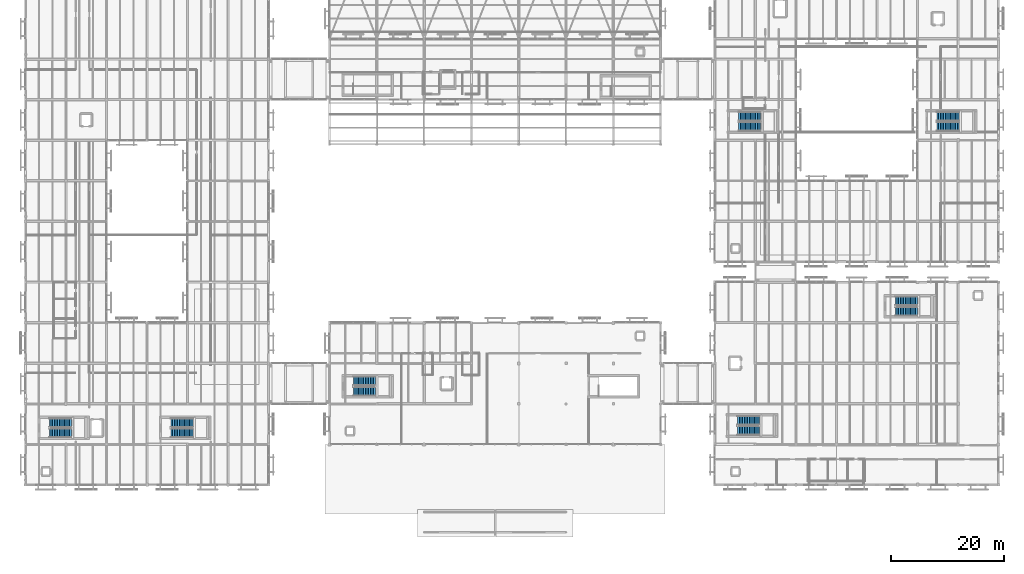
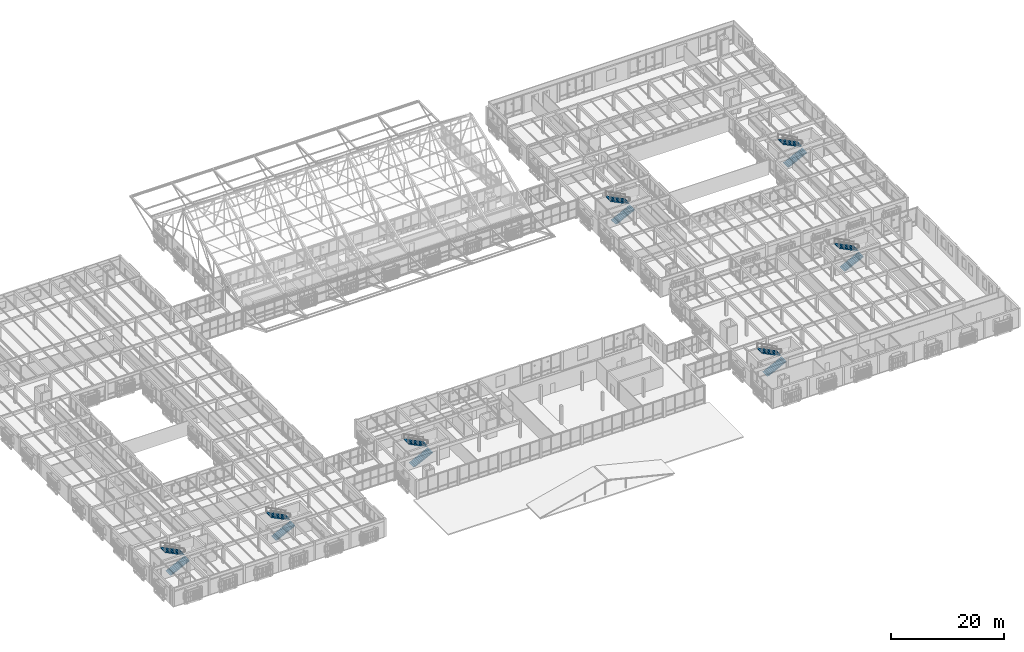
# One storey, part 189 of 217: 14 stair flights, 7 elements without a shape of their own.
"""IFC4 building model written with IfcOpenShell, lengths in metres."""

from ifc_helpers import new_model, si_unit, direction, frame, origin, place, context, subcontext, project, spatial, polyline, outline, extrude, material, type_object, element, aggregate, save


model = new_model("IFC4")

# Units and contexts
model_context = context("Model", 3, precision=1e-05, world=origin(), true_north=direction((0.0, 1.0)))
body_context = subcontext(model_context, "Body", "Model", "MODEL_VIEW")
ifc_project = project(units=[si_unit("LENGTHUNIT", "METRE"), si_unit("AREAUNIT", "SQUARE_METRE"), si_unit("VOLUMEUNIT", "CUBIC_METRE"), si_unit("PLANEANGLEUNIT", "RADIAN"), si_unit("MASSUNIT", "GRAM", prefix="KILO")], contexts=[model_context])

# Site, building, storey
site_placement = place(None, origin())
site = spatial("IfcSite", under=ifc_project, at=site_placement, CompositionType="ELEMENT")
building_placement = place(site_placement, origin())
building = spatial("IfcBuilding", under=site, at=building_placement, Name="Mazaris Harbour Polytechnic", CompositionType="ELEMENT")
storey_placement = place(building_placement, frame((0.0, 0.0, 9.60009765625)))
storey = spatial("IfcBuildingStorey", under=building, at=storey_placement, Name="L02", CompositionType="ELEMENT", Elevation=9.60009765625)

# Stair, stair flights
ifc_material_1 = material(Name="Concrete C40/50", Category="concrete")
stair_type = type_object("IfcStairType", Name="Core Exit Stair H4200", PredefinedType="HALF_TURN_STAIR", material=ifc_material_1)
stair_1_placement = place(storey_placement, origin())
stair_1 = element("IfcStair", 1, at=stair_1_placement, inside=storey, type_object=stair_type, Name="L02 ST03", PredefinedType="HALF_TURN_STAIR")
ifc_material_2 = material(Name="Concrete C40/50", Category="concrete")
stair_flight_type = type_object("IfcStairFlightType", Name="RC Stair Flight W1650", PredefinedType="STRAIGHT", material=ifc_material_2)
stair_flight_1_placement = place(storey_placement, frame((126.449951171875, 16.824951171875, 0.0), z_axis=(0.0, 0.0, 1.0), x_axis=(1.0, 0.0, 0.0)))
stair_flight_1 = element("IfcStairFlight", 2, at=stair_flight_1_placement, type_object=stair_flight_type, Name="ST03 flight 1", NumberOfRisers=14, NumberOfTreads=13, PredefinedType="STRAIGHT", RiserHeight=0.15, TreadLength=0.3, context=body_context, shape_type="SweptSolid", body=[
    extrude(outline(polyline([(0.0, 0.0), (0.0, 0.14990234375), (0.300048828125, 0.14990234375), (0.300048828125, 0.300048828125), (0.60009765625, 0.300048828125), (0.60009765625, 0.449951171875), (0.89990234375, 0.449951171875), (0.89990234375, 0.60009765625), (1.199951171875, 0.60009765625), (1.199951171875, 0.75), (1.5, 0.75), (1.5, 0.89990234375), (1.800048828125, 0.89990234375), (1.800048828125, 1.050048828125), (2.10009765625, 1.050048828125), (2.10009765625, 1.199951171875), (2.39990234375, 1.199951171875), (2.39990234375, 1.35009765625), (2.699951171875, 1.35009765625), (2.699951171875, 1.5), (3.0, 1.5), (3.0, 1.64990234375), (3.300048828125, 1.64990234375), (3.300048828125, 1.800048828125), (3.60009765625, 1.800048828125), (3.60009765625, 1.949951171875), (3.89990234375, 1.949951171875), (3.89990234375, 2.10009765625), (3.89990234375, 1.748779296875), (0.40234375, 0.0), (0.0, 0.0)])), frame((0.0, 0.824951171875, 0.0), z_axis=(0.0, -1.0, 0.0), x_axis=(1.0, 0.0, 0.0)), (0.0, 0.0, 1.0), 1.64990234375),
])
stair_flight_2_placement = place(storey_placement, frame((130.35009765625, 18.625, 2.099853515625), z_axis=(0.0, 0.0, 1.0), x_axis=(-1.0, 0.0, 0.0)))
stair_flight_2 = element("IfcStairFlight", 3, at=stair_flight_2_placement, type_object=stair_flight_type, Name="ST03 flight 2", NumberOfRisers=14, NumberOfTreads=13, PredefinedType="STRAIGHT", RiserHeight=0.15, TreadLength=0.3, context=body_context, shape_type="SweptSolid", body=[
    extrude(outline(polyline([(0.0, 0.0), (0.0, 0.14990234375), (0.300048828125, 0.14990234375), (0.300048828125, 0.300048828125), (0.60009765625, 0.300048828125), (0.60009765625, 0.449951171875), (0.89990234375, 0.449951171875), (0.89990234375, 0.60009765625), (1.199951171875, 0.60009765625), (1.199951171875, 0.75), (1.5, 0.75), (1.5, 0.89990234375), (1.800048828125, 0.89990234375), (1.800048828125, 1.050048828125), (2.10009765625, 1.050048828125), (2.10009765625, 1.199951171875), (2.39990234375, 1.199951171875), (2.39990234375, 1.35009765625), (2.699951171875, 1.35009765625), (2.699951171875, 1.5), (3.0, 1.5), (3.0, 1.64990234375), (3.300048828125, 1.64990234375), (3.300048828125, 1.800048828125), (3.60009765625, 1.800048828125), (3.60009765625, 1.949951171875), (3.89990234375, 1.949951171875), (3.89990234375, 2.10009765625), (3.89990234375, 1.748779296875), (0.40234375, 0.0), (0.0, 0.0)])), frame((0.0, 0.824951171875, 0.0), z_axis=(0.0, -1.0, 0.0), x_axis=(1.0, 0.0, 0.0)), (0.0, 0.0, 1.0), 1.64990234375),
])
aggregate(stair_1, [stair_flight_1, stair_flight_2])

stair_2_placement = place(storey_placement, origin())
stair_2 = element("IfcStair", 4, at=stair_2_placement, inside=storey, type_object=stair_type, Name="L02 ST04", PredefinedType="HALF_TURN_STAIR")
stair_flight_3_placement = place(storey_placement, frame((154.449951171875, 38.02490234375, 0.0), z_axis=(0.0, 0.0, 1.0), x_axis=(1.0, 0.0, 0.0)))
stair_flight_3 = element("IfcStairFlight", 5, at=stair_flight_3_placement, type_object=stair_flight_type, Name="ST04 flight 1", NumberOfRisers=14, NumberOfTreads=13, PredefinedType="STRAIGHT", RiserHeight=0.15, TreadLength=0.3, context=body_context, shape_type="SweptSolid", body=[
    extrude(outline(polyline([(0.0, 0.0), (0.0, 0.14990234375), (0.300048828125, 0.14990234375), (0.300048828125, 0.300048828125), (0.60009765625, 0.300048828125), (0.60009765625, 0.449951171875), (0.89990234375, 0.449951171875), (0.89990234375, 0.60009765625), (1.199951171875, 0.60009765625), (1.199951171875, 0.75), (1.5, 0.75), (1.5, 0.89990234375), (1.800048828125, 0.89990234375), (1.800048828125, 1.050048828125), (2.10009765625, 1.050048828125), (2.10009765625, 1.199951171875), (2.39990234375, 1.199951171875), (2.39990234375, 1.35009765625), (2.699951171875, 1.35009765625), (2.699951171875, 1.5), (3.0, 1.5), (3.0, 1.64990234375), (3.300048828125, 1.64990234375), (3.300048828125, 1.800048828125), (3.60009765625, 1.800048828125), (3.60009765625, 1.949951171875), (3.89990234375, 1.949951171875), (3.89990234375, 2.10009765625), (3.89990234375, 1.748779296875), (0.40234375, 0.0), (0.0, 0.0)])), frame((0.0, 0.824951171875, 0.0), z_axis=(0.0, -1.0, 0.0), x_axis=(1.0, 0.0, 0.0)), (0.0, 0.0, 1.0), 1.64990234375),
])
stair_flight_4_placement = place(storey_placement, frame((158.35009765625, 39.824951171875, 2.099853515625), z_axis=(0.0, 0.0, 1.0), x_axis=(-1.0, 0.0, 0.0)))
stair_flight_4 = element("IfcStairFlight", 6, at=stair_flight_4_placement, type_object=stair_flight_type, Name="ST04 flight 2", NumberOfRisers=14, NumberOfTreads=13, PredefinedType="STRAIGHT", RiserHeight=0.15, TreadLength=0.3, context=body_context, shape_type="SweptSolid", body=[
    extrude(outline(polyline([(0.0, 0.0), (0.0, 0.14990234375), (0.300048828125, 0.14990234375), (0.300048828125, 0.300048828125), (0.60009765625, 0.300048828125), (0.60009765625, 0.449951171875), (0.89990234375, 0.449951171875), (0.89990234375, 0.60009765625), (1.199951171875, 0.60009765625), (1.199951171875, 0.75), (1.5, 0.75), (1.5, 0.89990234375), (1.800048828125, 0.89990234375), (1.800048828125, 1.050048828125), (2.10009765625, 1.050048828125), (2.10009765625, 1.199951171875), (2.39990234375, 1.199951171875), (2.39990234375, 1.35009765625), (2.699951171875, 1.35009765625), (2.699951171875, 1.5), (3.0, 1.5), (3.0, 1.64990234375), (3.300048828125, 1.64990234375), (3.300048828125, 1.800048828125), (3.60009765625, 1.800048828125), (3.60009765625, 1.949951171875), (3.89990234375, 1.949951171875), (3.89990234375, 2.10009765625), (3.89990234375, 1.748779296875), (0.40234375, 0.0), (0.0, 0.0)])), frame((0.0, 0.824951171875, 0.0), z_axis=(0.0, -1.0, 0.0), x_axis=(1.0, 0.0, 0.0)), (0.0, 0.0, 1.0), 1.64990234375),
])
aggregate(stair_2, [stair_flight_3, stair_flight_4])

stair_3_placement = place(storey_placement, origin())
stair_3 = element("IfcStair", 7, at=stair_3_placement, inside=storey, type_object=stair_type, Name="L02 ST05", PredefinedType="HALF_TURN_STAIR")
stair_flight_5_placement = place(storey_placement, frame((58.25, 23.824951171875, 0.0), z_axis=(0.0, 0.0, 1.0), x_axis=(1.0, 0.0, 0.0)))
stair_flight_5 = element("IfcStairFlight", 8, at=stair_flight_5_placement, type_object=stair_flight_type, Name="ST05 flight 1", NumberOfRisers=14, NumberOfTreads=13, PredefinedType="STRAIGHT", RiserHeight=0.15, TreadLength=0.3, context=body_context, shape_type="SweptSolid", body=[
    extrude(outline(polyline([(0.0, 0.0), (0.0, 0.14990234375), (0.300048828125, 0.14990234375), (0.300048828125, 0.300048828125), (0.60009765625, 0.300048828125), (0.60009765625, 0.449951171875), (0.89990234375, 0.449951171875), (0.89990234375, 0.60009765625), (1.199951171875, 0.60009765625), (1.199951171875, 0.75), (1.5, 0.75), (1.5, 0.89990234375), (1.800048828125, 0.89990234375), (1.800048828125, 1.050048828125), (2.10009765625, 1.050048828125), (2.10009765625, 1.199951171875), (2.39990234375, 1.199951171875), (2.39990234375, 1.35009765625), (2.699951171875, 1.35009765625), (2.699951171875, 1.5), (3.0, 1.5), (3.0, 1.64990234375), (3.300048828125, 1.64990234375), (3.300048828125, 1.800048828125), (3.60009765625, 1.800048828125), (3.60009765625, 1.949951171875), (3.89990234375, 1.949951171875), (3.89990234375, 2.10009765625), (3.89990234375, 1.748779296875), (0.40234375, 0.0), (0.0, 0.0)])), frame((0.0, 0.824951171875, 0.0), z_axis=(0.0, -1.0, 0.0), x_axis=(1.0, 0.0, 0.0)), (0.0, 0.0, 1.0), 1.64990234375),
])
stair_flight_6_placement = place(storey_placement, frame((62.14990234375, 25.625, 2.099853515625), z_axis=(0.0, 0.0, 1.0), x_axis=(-1.0, 0.0, 0.0)))
stair_flight_6 = element("IfcStairFlight", 9, at=stair_flight_6_placement, type_object=stair_flight_type, Name="ST05 flight 2", NumberOfRisers=14, NumberOfTreads=13, PredefinedType="STRAIGHT", RiserHeight=0.15, TreadLength=0.3, context=body_context, shape_type="SweptSolid", body=[
    extrude(outline(polyline([(0.0, 0.0), (0.0, 0.14990234375), (0.300048828125, 0.14990234375), (0.300048828125, 0.300048828125), (0.60009765625, 0.300048828125), (0.60009765625, 0.449951171875), (0.89990234375, 0.449951171875), (0.89990234375, 0.60009765625), (1.199951171875, 0.60009765625), (1.199951171875, 0.75), (1.5, 0.75), (1.5, 0.89990234375), (1.800048828125, 0.89990234375), (1.800048828125, 1.050048828125), (2.10009765625, 1.050048828125), (2.10009765625, 1.199951171875), (2.39990234375, 1.199951171875), (2.39990234375, 1.35009765625), (2.699951171875, 1.35009765625), (2.699951171875, 1.5), (3.0, 1.5), (3.0, 1.64990234375), (3.300048828125, 1.64990234375), (3.300048828125, 1.800048828125), (3.60009765625, 1.800048828125), (3.60009765625, 1.949951171875), (3.89990234375, 1.949951171875), (3.89990234375, 2.10009765625), (3.89990234375, 1.748779296875), (0.40234375, 0.0), (0.0, 0.0)])), frame((0.0, 0.824951171875, 0.0), z_axis=(0.0, -1.0, 0.0), x_axis=(1.0, 0.0, 0.0)), (0.0, 0.0, 1.0), 1.64990234375),
])
aggregate(stair_3, [stair_flight_5, stair_flight_6])

stair_4_placement = place(storey_placement, origin())
stair_4 = element("IfcStair", 10, at=stair_4_placement, inside=storey, type_object=stair_type, Name="L02 ST07", PredefinedType="HALF_TURN_STAIR")
stair_flight_7_placement = place(storey_placement, frame((4.25, 16.425048828125, 0.0), z_axis=(0.0, 0.0, 1.0), x_axis=(1.0, 0.0, 0.0)))
stair_flight_7 = element("IfcStairFlight", 11, at=stair_flight_7_placement, type_object=stair_flight_type, Name="ST07 flight 1", NumberOfRisers=14, NumberOfTreads=13, PredefinedType="STRAIGHT", RiserHeight=0.15, TreadLength=0.3, context=body_context, shape_type="SweptSolid", body=[
    extrude(outline(polyline([(0.0, 0.0), (0.0, 0.14990234375), (0.300048828125, 0.14990234375), (0.300048828125, 0.300048828125), (0.60009765625, 0.300048828125), (0.60009765625, 0.449951171875), (0.89990234375, 0.449951171875), (0.89990234375, 0.60009765625), (1.199951171875, 0.60009765625), (1.199951171875, 0.75), (1.5, 0.75), (1.5, 0.89990234375), (1.800048828125, 0.89990234375), (1.800048828125, 1.050048828125), (2.10009765625, 1.050048828125), (2.10009765625, 1.199951171875), (2.39990234375, 1.199951171875), (2.39990234375, 1.35009765625), (2.699951171875, 1.35009765625), (2.699951171875, 1.5), (3.0, 1.5), (3.0, 1.64990234375), (3.300048828125, 1.64990234375), (3.300048828125, 1.800048828125), (3.60009765625, 1.800048828125), (3.60009765625, 1.949951171875), (3.89990234375, 1.949951171875), (3.89990234375, 2.10009765625), (3.89990234375, 1.748779296875), (0.40234375, 0.0), (0.0, 0.0)])), frame((0.0, 0.824951171875, 0.0), z_axis=(0.0, -1.0, 0.0), x_axis=(1.0, 0.0, 0.0)), (0.0, 0.0, 1.0), 1.64990234375),
])
stair_flight_8_placement = place(storey_placement, frame((8.14990234375, 18.22509765625, 2.099853515625), z_axis=(0.0, 0.0, 1.0), x_axis=(-1.0, 0.0, 0.0)))
stair_flight_8 = element("IfcStairFlight", 12, at=stair_flight_8_placement, type_object=stair_flight_type, Name="ST07 flight 2", NumberOfRisers=14, NumberOfTreads=13, PredefinedType="STRAIGHT", RiserHeight=0.15, TreadLength=0.3, context=body_context, shape_type="SweptSolid", body=[
    extrude(outline(polyline([(0.0, 0.0), (0.0, 0.14990234375), (0.300048828125, 0.14990234375), (0.300048828125, 0.300048828125), (0.60009765625, 0.300048828125), (0.60009765625, 0.449951171875), (0.89990234375, 0.449951171875), (0.89990234375, 0.60009765625), (1.199951171875, 0.60009765625), (1.199951171875, 0.75), (1.5, 0.75), (1.5, 0.89990234375), (1.800048828125, 0.89990234375), (1.800048828125, 1.050048828125), (2.10009765625, 1.050048828125), (2.10009765625, 1.199951171875), (2.39990234375, 1.199951171875), (2.39990234375, 1.35009765625), (2.699951171875, 1.35009765625), (2.699951171875, 1.5), (3.0, 1.5), (3.0, 1.64990234375), (3.300048828125, 1.64990234375), (3.300048828125, 1.800048828125), (3.60009765625, 1.800048828125), (3.60009765625, 1.949951171875), (3.89990234375, 1.949951171875), (3.89990234375, 2.10009765625), (3.89990234375, 1.748779296875), (0.40234375, 0.0), (0.0, 0.0)])), frame((0.0, 0.824951171875, 0.0), z_axis=(0.0, -1.0, 0.0), x_axis=(1.0, 0.0, 0.0)), (0.0, 0.0, 1.0), 1.64990234375),
])
aggregate(stair_4, [stair_flight_7, stair_flight_8])

stair_5_placement = place(storey_placement, origin())
stair_5 = element("IfcStair", 13, at=stair_5_placement, inside=storey, type_object=stair_type, Name="L02 ST08", PredefinedType="HALF_TURN_STAIR")
stair_flight_9_placement = place(storey_placement, frame((25.85009765625, 16.425048828125, 0.0), z_axis=(0.0, 0.0, 1.0), x_axis=(1.0, 0.0, 0.0)))
stair_flight_9 = element("IfcStairFlight", 14, at=stair_flight_9_placement, type_object=stair_flight_type, Name="ST08 flight 1", NumberOfRisers=14, NumberOfTreads=13, PredefinedType="STRAIGHT", RiserHeight=0.15, TreadLength=0.3, context=body_context, shape_type="SweptSolid", body=[
    extrude(outline(polyline([(0.0, 0.0), (0.0, 0.14990234375), (0.300048828125, 0.14990234375), (0.300048828125, 0.300048828125), (0.60009765625, 0.300048828125), (0.60009765625, 0.449951171875), (0.89990234375, 0.449951171875), (0.89990234375, 0.60009765625), (1.199951171875, 0.60009765625), (1.199951171875, 0.75), (1.5, 0.75), (1.5, 0.89990234375), (1.800048828125, 0.89990234375), (1.800048828125, 1.050048828125), (2.10009765625, 1.050048828125), (2.10009765625, 1.199951171875), (2.39990234375, 1.199951171875), (2.39990234375, 1.35009765625), (2.699951171875, 1.35009765625), (2.699951171875, 1.5), (3.0, 1.5), (3.0, 1.64990234375), (3.300048828125, 1.64990234375), (3.300048828125, 1.800048828125), (3.60009765625, 1.800048828125), (3.60009765625, 1.949951171875), (3.89990234375, 1.949951171875), (3.89990234375, 2.10009765625), (3.89990234375, 1.748779296875), (0.40234375, 0.0), (0.0, 0.0)])), frame((0.0, 0.824951171875, 0.0), z_axis=(0.0, -1.0, 0.0), x_axis=(1.0, 0.0, 0.0)), (0.0, 0.0, 1.0), 1.64990234375),
])
stair_flight_10_placement = place(storey_placement, frame((29.75, 18.22509765625, 2.099853515625), z_axis=(0.0, 0.0, 1.0), x_axis=(-1.0, 0.0, 0.0)))
stair_flight_10 = element("IfcStairFlight", 15, at=stair_flight_10_placement, type_object=stair_flight_type, Name="ST08 flight 2", NumberOfRisers=14, NumberOfTreads=13, PredefinedType="STRAIGHT", RiserHeight=0.15, TreadLength=0.3, context=body_context, shape_type="SweptSolid", body=[
    extrude(outline(polyline([(0.0, 0.0), (0.0, 0.14990234375), (0.300048828125, 0.14990234375), (0.300048828125, 0.300048828125), (0.60009765625, 0.300048828125), (0.60009765625, 0.449951171875), (0.89990234375, 0.449951171875), (0.89990234375, 0.60009765625), (1.199951171875, 0.60009765625), (1.199951171875, 0.75), (1.5, 0.75), (1.5, 0.89990234375), (1.800048828125, 0.89990234375), (1.800048828125, 1.050048828125), (2.10009765625, 1.050048828125), (2.10009765625, 1.199951171875), (2.39990234375, 1.199951171875), (2.39990234375, 1.35009765625), (2.699951171875, 1.35009765625), (2.699951171875, 1.5), (3.0, 1.5), (3.0, 1.64990234375), (3.300048828125, 1.64990234375), (3.300048828125, 1.800048828125), (3.60009765625, 1.800048828125), (3.60009765625, 1.949951171875), (3.89990234375, 1.949951171875), (3.89990234375, 2.10009765625), (3.89990234375, 1.748779296875), (0.40234375, 0.0), (0.0, 0.0)])), frame((0.0, 0.824951171875, 0.0), z_axis=(0.0, -1.0, 0.0), x_axis=(1.0, 0.0, 0.0)), (0.0, 0.0, 1.0), 1.64990234375),
])
aggregate(stair_5, [stair_flight_9, stair_flight_10])

stair_6_placement = place(storey_placement, origin())
stair_6 = element("IfcStair", 16, at=stair_6_placement, inside=storey, type_object=stair_type, Name="L02 ST09", PredefinedType="HALF_TURN_STAIR")
stair_flight_11_placement = place(storey_placement, frame((126.64990234375, 70.824951171875, 0.0), z_axis=(0.0, 0.0, 1.0), x_axis=(1.0, 0.0, 0.0)))
stair_flight_11 = element("IfcStairFlight", 17, at=stair_flight_11_placement, type_object=stair_flight_type, Name="ST09 flight 1", NumberOfRisers=14, NumberOfTreads=13, PredefinedType="STRAIGHT", RiserHeight=0.15, TreadLength=0.3, context=body_context, shape_type="SweptSolid", body=[
    extrude(outline(polyline([(0.0, 0.0), (0.0, 0.14990234375), (0.300048828125, 0.14990234375), (0.300048828125, 0.300048828125), (0.60009765625, 0.300048828125), (0.60009765625, 0.449951171875), (0.89990234375, 0.449951171875), (0.89990234375, 0.60009765625), (1.199951171875, 0.60009765625), (1.199951171875, 0.75), (1.5, 0.75), (1.5, 0.89990234375), (1.800048828125, 0.89990234375), (1.800048828125, 1.050048828125), (2.10009765625, 1.050048828125), (2.10009765625, 1.199951171875), (2.39990234375, 1.199951171875), (2.39990234375, 1.35009765625), (2.699951171875, 1.35009765625), (2.699951171875, 1.5), (3.0, 1.5), (3.0, 1.64990234375), (3.300048828125, 1.64990234375), (3.300048828125, 1.800048828125), (3.60009765625, 1.800048828125), (3.60009765625, 1.949951171875), (3.89990234375, 1.949951171875), (3.89990234375, 2.10009765625), (3.89990234375, 1.748779296875), (0.40234375, 0.0), (0.0, 0.0)])), frame((0.0, 0.824951171875, 0.0), z_axis=(0.0, -1.0, 0.0), x_axis=(1.0, 0.0, 0.0)), (0.0, 0.0, 1.0), 1.64990234375),
])
stair_flight_12_placement = place(storey_placement, frame((130.550048828125, 72.625, 2.099853515625), z_axis=(0.0, 0.0, 1.0), x_axis=(-1.0, 0.0, 0.0)))
stair_flight_12 = element("IfcStairFlight", 18, at=stair_flight_12_placement, type_object=stair_flight_type, Name="ST09 flight 2", NumberOfRisers=14, NumberOfTreads=13, PredefinedType="STRAIGHT", RiserHeight=0.15, TreadLength=0.3, context=body_context, shape_type="SweptSolid", body=[
    extrude(outline(polyline([(0.0, 0.0), (0.0, 0.14990234375), (0.300048828125, 0.14990234375), (0.300048828125, 0.300048828125), (0.60009765625, 0.300048828125), (0.60009765625, 0.449951171875), (0.89990234375, 0.449951171875), (0.89990234375, 0.60009765625), (1.199951171875, 0.60009765625), (1.199951171875, 0.75), (1.5, 0.75), (1.5, 0.89990234375), (1.800048828125, 0.89990234375), (1.800048828125, 1.050048828125), (2.10009765625, 1.050048828125), (2.10009765625, 1.199951171875), (2.39990234375, 1.199951171875), (2.39990234375, 1.35009765625), (2.699951171875, 1.35009765625), (2.699951171875, 1.5), (3.0, 1.5), (3.0, 1.64990234375), (3.300048828125, 1.64990234375), (3.300048828125, 1.800048828125), (3.60009765625, 1.800048828125), (3.60009765625, 1.949951171875), (3.89990234375, 1.949951171875), (3.89990234375, 2.10009765625), (3.89990234375, 1.748779296875), (0.40234375, 0.0), (0.0, 0.0)])), frame((0.0, 0.824951171875, 0.0), z_axis=(0.0, -1.0, 0.0), x_axis=(1.0, 0.0, 0.0)), (0.0, 0.0, 1.0), 1.64990234375),
])
aggregate(stair_6, [stair_flight_11, stair_flight_12])

stair_7_placement = place(storey_placement, origin())
stair_7 = element("IfcStair", 19, at=stair_7_placement, inside=storey, type_object=stair_type, Name="L02 ST10", PredefinedType="HALF_TURN_STAIR")
stair_flight_13_placement = place(storey_placement, frame((161.85009765625, 70.824951171875, 0.0), z_axis=(0.0, 0.0, 1.0), x_axis=(1.0, 0.0, 0.0)))
stair_flight_13 = element("IfcStairFlight", 20, at=stair_flight_13_placement, type_object=stair_flight_type, Name="ST10 flight 1", NumberOfRisers=14, NumberOfTreads=13, PredefinedType="STRAIGHT", RiserHeight=0.15, TreadLength=0.3, context=body_context, shape_type="SweptSolid", body=[
    extrude(outline(polyline([(0.0, 0.0), (0.0, 0.14990234375), (0.300048828125, 0.14990234375), (0.300048828125, 0.300048828125), (0.60009765625, 0.300048828125), (0.60009765625, 0.449951171875), (0.89990234375, 0.449951171875), (0.89990234375, 0.60009765625), (1.199951171875, 0.60009765625), (1.199951171875, 0.75), (1.5, 0.75), (1.5, 0.89990234375), (1.800048828125, 0.89990234375), (1.800048828125, 1.050048828125), (2.10009765625, 1.050048828125), (2.10009765625, 1.199951171875), (2.39990234375, 1.199951171875), (2.39990234375, 1.35009765625), (2.699951171875, 1.35009765625), (2.699951171875, 1.5), (3.0, 1.5), (3.0, 1.64990234375), (3.300048828125, 1.64990234375), (3.300048828125, 1.800048828125), (3.60009765625, 1.800048828125), (3.60009765625, 1.949951171875), (3.89990234375, 1.949951171875), (3.89990234375, 2.10009765625), (3.89990234375, 1.748779296875), (0.40234375, 0.0), (0.0, 0.0)])), frame((0.0, 0.824951171875, 0.0), z_axis=(0.0, -1.0, 0.0), x_axis=(1.0, 0.0, 0.0)), (0.0, 0.0, 1.0), 1.64990234375),
])
stair_flight_14_placement = place(storey_placement, frame((165.75, 72.625, 2.099853515625), z_axis=(0.0, 0.0, 1.0), x_axis=(-1.0, 0.0, 0.0)))
stair_flight_14 = element("IfcStairFlight", 21, at=stair_flight_14_placement, type_object=stair_flight_type, Name="ST10 flight 2", NumberOfRisers=14, NumberOfTreads=13, PredefinedType="STRAIGHT", RiserHeight=0.15, TreadLength=0.3, context=body_context, shape_type="SweptSolid", body=[
    extrude(outline(polyline([(0.0, 0.0), (0.0, 0.14990234375), (0.300048828125, 0.14990234375), (0.300048828125, 0.300048828125), (0.60009765625, 0.300048828125), (0.60009765625, 0.449951171875), (0.89990234375, 0.449951171875), (0.89990234375, 0.60009765625), (1.199951171875, 0.60009765625), (1.199951171875, 0.75), (1.5, 0.75), (1.5, 0.89990234375), (1.800048828125, 0.89990234375), (1.800048828125, 1.050048828125), (2.10009765625, 1.050048828125), (2.10009765625, 1.199951171875), (2.39990234375, 1.199951171875), (2.39990234375, 1.35009765625), (2.699951171875, 1.35009765625), (2.699951171875, 1.5), (3.0, 1.5), (3.0, 1.64990234375), (3.300048828125, 1.64990234375), (3.300048828125, 1.800048828125), (3.60009765625, 1.800048828125), (3.60009765625, 1.949951171875), (3.89990234375, 1.949951171875), (3.89990234375, 2.10009765625), (3.89990234375, 1.748779296875), (0.40234375, 0.0), (0.0, 0.0)])), frame((0.0, 0.824951171875, 0.0), z_axis=(0.0, -1.0, 0.0), x_axis=(1.0, 0.0, 0.0)), (0.0, 0.0, 1.0), 1.64990234375),
])
aggregate(stair_7, [stair_flight_13, stair_flight_14])

save(model, "model.ifc")
